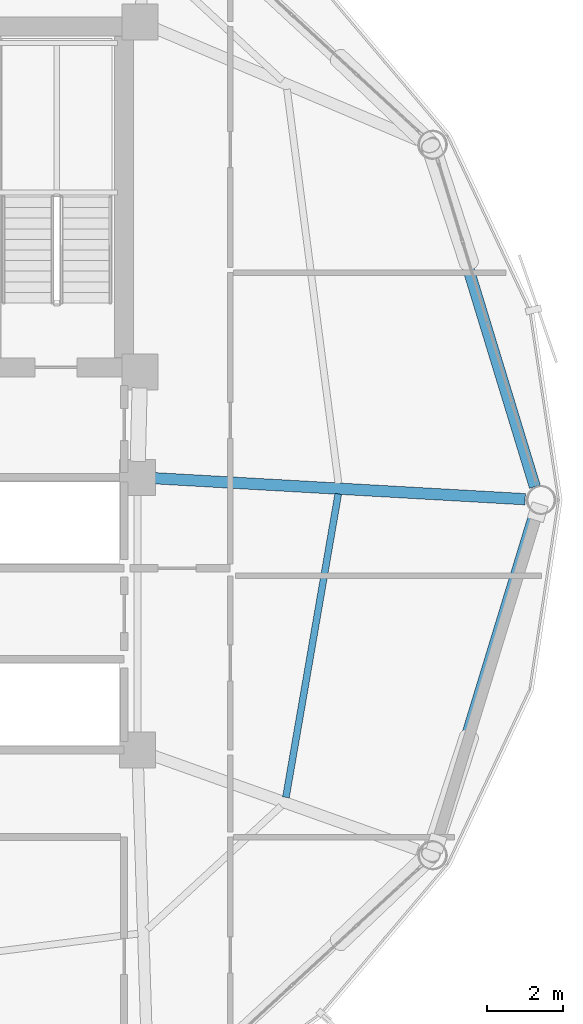
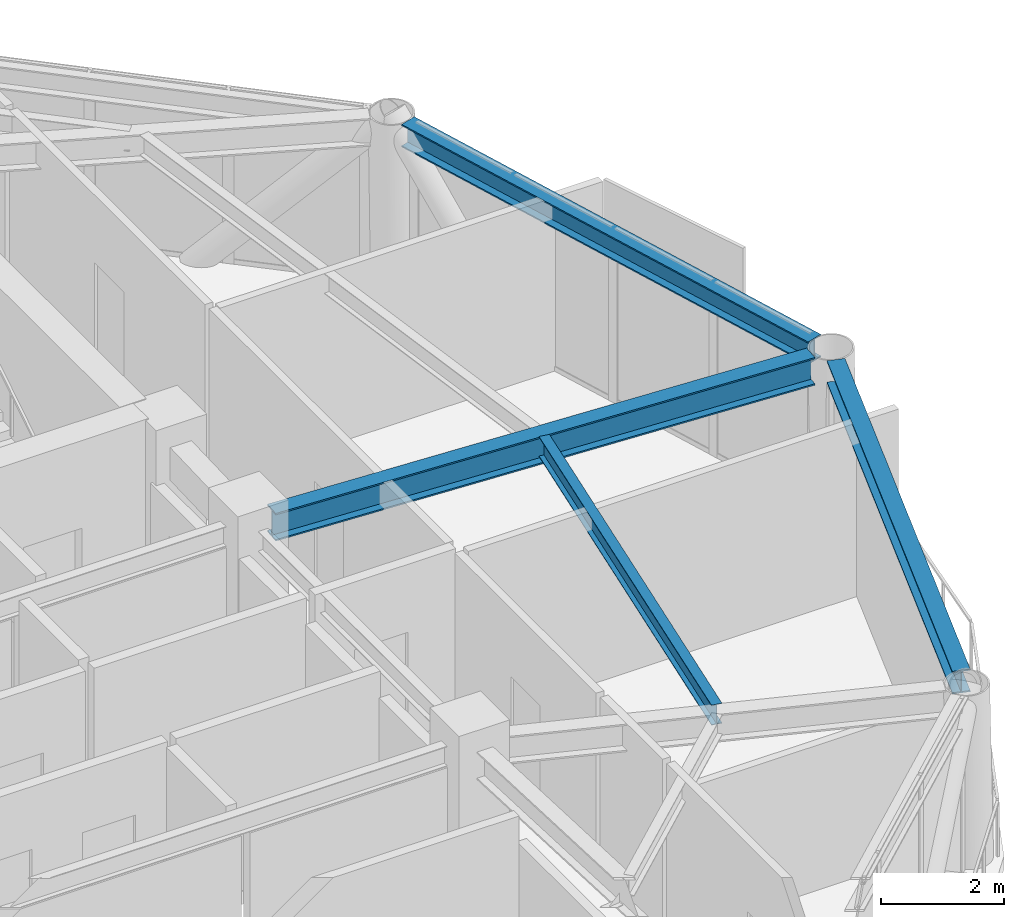
# One storey, part 15 of 26: 4 beams.
"""IFC4 building model written with IfcOpenShell, lengths in metres."""

import ifcopenshell
import ifcopenshell.guid

model = None  # the IFC model being written
_history = None  # IfcOwnerHistory: only IFC2X3 demands one
_inside = {}  # id of a spatial element -> (the spatial element, [elements in it])
_under = {}  # id of a project, library or spatial element -> (it, [spatial elements below it])
_declared = {}  # id of a project -> (the project, [libraries it declares])
_typed = {}  # id of a type object -> (the type object, [elements of that type])
_made_of = {}  # id of a material, layer set ... -> (it, [elements and type objects made of it])


def new_model(schema):
    """Start an empty IFC model of exactly this schema.

    Asked for "IFC4X3", IfcOpenShell would pick the latest addendum, in which some entities
    have other attributes; the version numbers below select the first issue.
    IFC2X3 requires an IfcOwnerHistory on every rooted entity: one is made here for all.
    """
    global model, _history
    if schema == "IFC4X3":
        model = ifcopenshell.file(schema_version=(4, 3, 0, 0))
    else:
        model = ifcopenshell.file(schema=schema)
    _inside.clear()
    _under.clear()
    _declared.clear()
    _typed.clear()
    _made_of.clear()
    _history = None
    if model.schema == "IFC2X3":
        org = make("IfcOrganization", Name="unknown")
        user = make(
            "IfcPersonAndOrganization",
            ThePerson=make("IfcPerson", FamilyName="unknown"),
            TheOrganization=org,
        )
        app = make(
            "IfcApplication",
            ApplicationDeveloper=org,
            Version="unknown",
            ApplicationFullName="unknown",
            ApplicationIdentifier="unknown",
        )
        _history = make(
            "IfcOwnerHistory",
            OwningUser=user,
            OwningApplication=app,
            ChangeAction="ADDED",
            CreationDate=0,
        )
    return model


def make(cls, **values):
    """One entity of the class cls with the attributes given. An attribute that is None is left unset."""
    return model.create_entity(
        cls, **{name: value for name, value in values.items() if value is not None}
    )


def rooted(cls, **values):
    """An entity with a GlobalId (a new one), such as an element, a storey or a relation."""
    return make(cls, GlobalId=ifcopenshell.guid.new(), OwnerHistory=_history, **values)


def si_unit(unit_type, name, prefix=None):
    """IfcSIUnit, for example si_unit("LENGTHUNIT", "METRE", prefix="MILLI")."""
    return make("IfcSIUnit", UnitType=unit_type, Prefix=prefix, Name=name)


def assignment(units):
    """IfcUnitAssignment: the units of a project."""
    return None if units is None else make("IfcUnitAssignment", Units=units)


def point(xyz):
    """IfcCartesianPoint."""
    return None if xyz is None else make("IfcCartesianPoint", Coordinates=xyz)


def direction(xyz):
    """IfcDirection."""
    return None if xyz is None else make("IfcDirection", DirectionRatios=xyz)


def frame(location, z_axis=None, x_axis=None):
    """IfcAxis2Placement3D, a coordinate frame: its origin and axes. An axis left out is left unset."""
    return make(
        "IfcAxis2Placement3D",
        Location=point(location),
        Axis=direction(z_axis),
        RefDirection=direction(x_axis),
    )


def frame_2d(location, x_axis=None):
    """IfcAxis2Placement2D, a coordinate frame in the plane: its origin and x axis."""
    return make(
        "IfcAxis2Placement2D", Location=point(location), RefDirection=direction(x_axis)
    )


def origin():
    """The frame at (0, 0, 0) with its axes left unset."""
    return frame((0.0, 0.0, 0.0))


def origin_2d():
    """The frame at (0, 0) in the plane with its x axis left unset."""
    return frame_2d((0.0, 0.0))


def place(relative_to, where):
    """IfcLocalPlacement: puts the frame where relative to a parent placement (None: the world)."""
    return make(
        "IfcLocalPlacement", PlacementRelTo=relative_to, RelativePlacement=where
    )


def context(
    kind, dimensions, precision=None, world=None, true_north=None, identifier=None
):
    """IfcGeometricRepresentationContext, for example the 3D "Model" context."""
    return make(
        "IfcGeometricRepresentationContext",
        ContextIdentifier=identifier,
        ContextType=kind,
        CoordinateSpaceDimension=dimensions,
        Precision=precision,
        WorldCoordinateSystem=world,
        TrueNorth=true_north,
    )


def subcontext(parent, identifier, kind, view, scale=None):
    """IfcGeometricRepresentationSubContext, for example "Body" below "Model"."""
    return make(
        "IfcGeometricRepresentationSubContext",
        ContextIdentifier=identifier,
        ContextType=kind,
        ParentContext=parent,
        TargetScale=scale,
        TargetView=view,
    )


def project(units=None, contexts=None):
    """IfcProject with its units and contexts."""
    return rooted(
        "IfcProject",
        Name="project",
        RepresentationContexts=contexts,
        UnitsInContext=assignment(units),
    )


def spatial(cls, under=None, at=None, **own):
    """A site, building, storey or space (cls), placed at a placement, below another one or the project."""
    s = rooted(cls, ObjectPlacement=at, **own)
    if under is not None:
        _under.setdefault(under.id(), (under, []))[1].append(s)
    return s


def profile(cls, at=None, kind="AREA", **sizes):
    """A parametric profile (cls). Its sizes go by their IFC names, for example OverallWidth=200.0."""
    return make(cls, ProfileType=kind, Position=at, **sizes)


def i_section(**sizes):
    """IfcIShapeProfileDef."""
    return profile("IfcIShapeProfileDef", **sizes)


def extrude(swept, where, along, depth):
    """IfcExtrudedAreaSolid: the profile swept, set in the frame where, extruded along a direction by depth."""
    return make(
        "IfcExtrudedAreaSolid",
        SweptArea=swept,
        Position=where,
        ExtrudedDirection=direction(along),
        Depth=depth,
    )


def shape(context_of_items, identifier, shape_type, items):
    """IfcShapeRepresentation: the items that make up one representation, for example the "Body"."""
    return make(
        "IfcShapeRepresentation",
        ContextOfItems=context_of_items,
        RepresentationIdentifier=identifier,
        RepresentationType=shape_type,
        Items=items,
    )


def material(Name=None, Category=None):
    """IfcMaterial."""
    return make("IfcMaterial", Name=Name, Category=Category)


def material_profile(
    of_material, cross_section, Name=None, Category=None, Priority=None
):
    """IfcMaterialProfile: a cross section and its material."""
    return make(
        "IfcMaterialProfile",
        Name=Name,
        Material=of_material,
        Profile=cross_section,
        Priority=Priority,
        Category=Category,
    )


def profile_set(profiles, Name=None, composite=None):
    """IfcMaterialProfileSet."""
    return make(
        "IfcMaterialProfileSet",
        Name=Name,
        MaterialProfiles=profiles,
        CompositeProfile=composite,
    )


def made_of(thing, what):
    """Note that an element or type object is made of a material, layer set ...; save() writes the relation."""
    if what is not None:
        _made_of.setdefault(what.id(), (what, []))[1].append(thing)
    return thing


def type_object(cls, material=None, **own):
    """A type object (cls), such as IfcWallType, which elements share."""
    return made_of(rooted(cls, **own), material)


def element(
    cls,
    number,
    at=None,
    inside=None,
    cuts=None,
    type_object=None,
    material=None,
    context=None,
    identifier="Body",
    shape_type=None,
    held_by="IfcProductDefinitionShape",
    body=None,
    shapes=None,
    **own,
):
    """One element of the class cls, such as IfcWall. Its Tag is "e" and its number.

    at: its placement. inside: the storey or other place that contains it. cuts: it is an
    opening in that element (IfcRelVoidsElement). A single representation is given by context,
    identifier, shape_type and body (its items); several are given by shapes. held_by: the class
    of the entity that holds the representations. save() writes the other relations.
    """
    e = rooted(cls, Tag="e%d" % number, ObjectPlacement=at, **own)
    if body is not None:
        shapes = [shape(context, identifier, shape_type, body)]
    if shapes is not None:
        e.Representation = make(held_by, Representations=shapes)
    if inside is not None:
        _inside.setdefault(inside.id(), (inside, []))[1].append(e)
    if cuts is not None:
        rooted(
            "IfcRelVoidsElement", RelatingBuildingElement=cuts, RelatedOpeningElement=e
        )
    if type_object is not None:
        _typed.setdefault(type_object.id(), (type_object, []))[1].append(e)
    return made_of(e, material)


def aggregate(whole, parts):
    """IfcRelAggregates: a whole, such as a stair, and the parts it consists of."""
    return rooted("IfcRelAggregates", RelatingObject=whole, RelatedObjects=parts)


def save(model, path):
    """Write the relations noted so far, then the file.

    IfcRelAggregates (storeys below a building ...), IfcRelContainedInSpatialStructure (elements
    in a storey), IfcRelDefinesByType, IfcRelAssociatesMaterial and IfcRelDeclares: one each for
    every whole, place, type object, material and project.
    """
    for whole, parts in _under.values():
        aggregate(whole, parts)
    for where, things in _inside.values():
        rooted(
            "IfcRelContainedInSpatialStructure",
            RelatedElements=things,
            RelatingStructure=where,
        )
    for kind, things in _typed.values():
        rooted("IfcRelDefinesByType", RelatedObjects=things, RelatingType=kind)
    for what, things in _made_of.values():
        rooted("IfcRelAssociatesMaterial", RelatedObjects=things, RelatingMaterial=what)
    for by, libraries in _declared.values():
        rooted("IfcRelDeclares", RelatingContext=by, RelatedDefinitions=libraries)
    model.write(path)


model = new_model("IFC4")

# Units and contexts
model_context = context("Model", 3, precision=1e-05, world=origin(), true_north=direction((0.0, 1.0)))
body_context = subcontext(model_context, "Body", "Model", "MODEL_VIEW")
ifc_project = project(units=[si_unit("LENGTHUNIT", "METRE"), si_unit("AREAUNIT", "SQUARE_METRE"), si_unit("VOLUMEUNIT", "CUBIC_METRE"), si_unit("PLANEANGLEUNIT", "RADIAN"), si_unit("MASSUNIT", "GRAM", prefix="KILO")], contexts=[model_context])

# Site, building, storey
site_placement = place(None, origin())
site = spatial("IfcSite", under=ifc_project, at=site_placement, CompositionType="ELEMENT")
building_placement = place(site_placement, origin())
building = spatial("IfcBuilding", under=site, at=building_placement, Name="Varnakorn Sky Granary", CompositionType="ELEMENT")
storey_placement = place(building_placement, frame((0.0, 0.0, 165.60009765625)))
storey = spatial("IfcBuildingStorey", under=building, at=storey_placement, Name="L41", CompositionType="ELEMENT", Elevation=165.60009765625)

# Beams
ifc_material = material(Name="Steel S355JR", Category="steel")
ifc_material_profile_1 = material_profile(ifc_material, i_section(OverallWidth=0.300048828125, OverallDepth=0.550048828125, WebThickness=0.014892578125, FlangeThickness=0.029052734375, at=origin_2d()), Name="HE 550 B")
ifc_profile_set_1 = profile_set([ifc_material_profile_1], Name="Steel S355JR")
beam_type_1 = type_object("IfcBeamType", Name="BM-RAD-Z3", PredefinedType="BEAM", material=ifc_profile_set_1)
beam_1_placement = place(storey_placement, frame((8.769287109375, 0.576416015625, 3.1748046875), z_axis=(0.99840142271, -0.056520784949, 0.0), x_axis=(0.056520784949, 0.99840142271, 0.0)))
element("IfcBeam", 1, at=beam_1_placement, inside=storey, type_object=beam_type_1, Name="Radial Floor Girder RG01 L41", PredefinedType="BEAM", context=body_context, shape_type="SweptSolid", body=[
    extrude(i_section(OverallWidth=0.300048828125, OverallDepth=0.550048828125, WebThickness=0.014892578125, FlangeThickness=0.029052734375, at=origin_2d()), origin(), (0.0, 0.0, 1.0), 9.8310546875),
])
ifc_material_profile_2 = material_profile(ifc_material, i_section(OverallWidth=0.179931640625, OverallDepth=0.39990234375, WebThickness=0.008544921875, FlangeThickness=0.013427734375, at=origin_2d()), Name="IPE 400")
ifc_profile_set_2 = profile_set([ifc_material_profile_2], Name="Steel S355JR")
beam_type_2 = type_object("IfcBeamType", Name="BM-SEC-Z3", PredefinedType="BEAM", material=ifc_profile_set_2)
beam_2_placement = place(storey_placement, frame((12.27099609375, -7.849853515625, 3.25), z_axis=(0.170026603304, 0.985439472605, 0.0), x_axis=(-0.985439472605, 0.170026603304, 0.0)))
element("IfcBeam", 2, at=beam_2_placement, inside=storey, type_object=beam_type_2, Name="Secondary Floor Chord Beam MSB12 L41", PredefinedType="BEAM", context=body_context, shape_type="SweptSolid", body=[
    extrude(i_section(OverallWidth=0.179931640625, OverallDepth=0.39990234375, WebThickness=0.008544921875, FlangeThickness=0.013427734375, at=origin_2d()), origin(), (0.0, 0.0, 1.0), 8.128662109375),
])
ifc_material_profile_3 = material_profile(ifc_material, i_section(OverallWidth=0.300048828125, OverallDepth=0.449951171875, WebThickness=0.013916015625, FlangeThickness=0.02587890625, at=origin_2d()), Name="HE 450 B")
ifc_profile_set_3 = profile_set([ifc_material_profile_3], Name="Steel S355JR")
beam_type_3 = type_object("IfcBeamType", Name="BM-SPD-Z3", PredefinedType="SPANDREL", material=ifc_profile_set_3)
for number, where, z_axis, x_axis, name in (
    (3, (18.843017578125, 0.35009765625, 3.224853515625), (-0.291971837772, 0.956426916156, 0.0), (-0.956426916156, -0.291971837772, 0.0), "Perimeter Spandrel Ring Beam RB01 L41"),
    (4, (16.2001953125, -9.00732421875, 3.224853515625), (0.291971837772, 0.956426916156, 0.0), (-0.956426916156, 0.291971837772, 0.0), "Perimeter Spandrel Ring Beam RB12 L41"),
):
    element("IfcBeam", number, at=place(storey_placement, frame(where, z_axis=z_axis, x_axis=x_axis)), inside=storey, type_object=beam_type_3, Name=name, PredefinedType="SPANDREL", context=body_context, shape_type="SweptSolid", body=[
        extrude(i_section(OverallWidth=0.300048828125, OverallDepth=0.449951171875, WebThickness=0.013916015625, FlangeThickness=0.02587890625, at=origin_2d()), origin(), (0.0, 0.0, 1.0), 9.051513671875),
    ])

save(model, "model.ifc")
